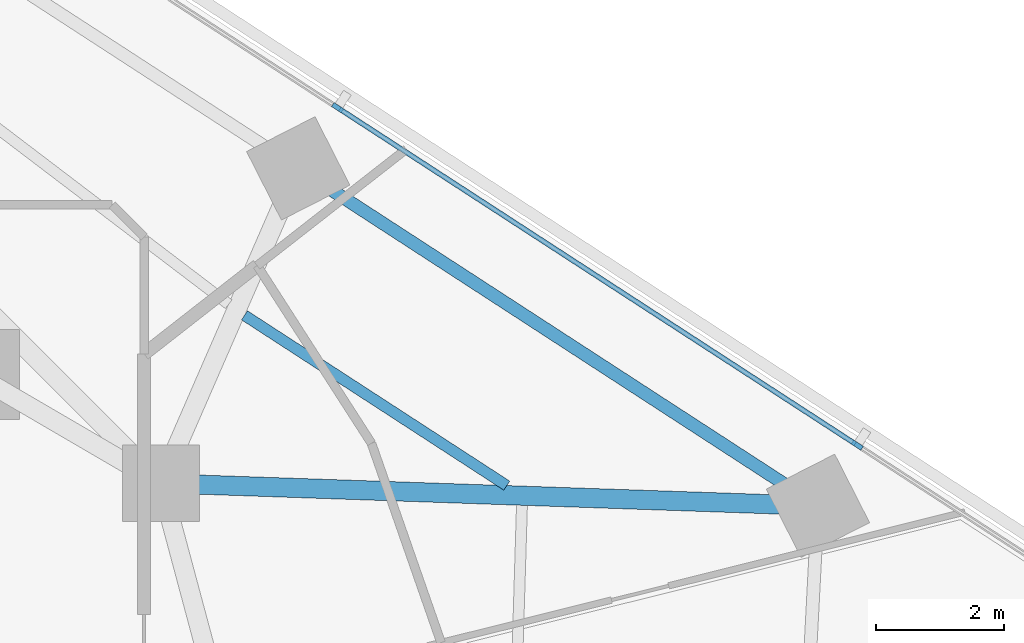
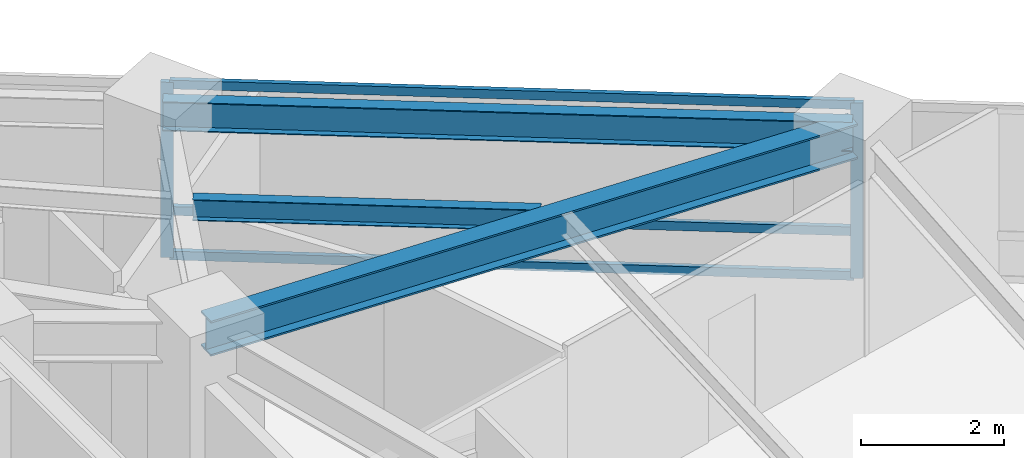
# One storey, part 6 of 14: 5 members, 3 beams, 1 element without a shape of its own.
"""IFC4 building model written with IfcOpenShell, lengths in metres."""

import ifcopenshell
import ifcopenshell.guid

model = None  # the IFC model being written
_history = None  # IfcOwnerHistory: only IFC2X3 demands one
_inside = {}  # id of a spatial element -> (the spatial element, [elements in it])
_under = {}  # id of a project, library or spatial element -> (it, [spatial elements below it])
_declared = {}  # id of a project -> (the project, [libraries it declares])
_typed = {}  # id of a type object -> (the type object, [elements of that type])
_made_of = {}  # id of a material, layer set ... -> (it, [elements and type objects made of it])


def new_model(schema):
    """Start an empty IFC model of exactly this schema.

    Asked for "IFC4X3", IfcOpenShell would pick the latest addendum, in which some entities
    have other attributes; the version numbers below select the first issue.
    IFC2X3 requires an IfcOwnerHistory on every rooted entity: one is made here for all.
    """
    global model, _history
    if schema == "IFC4X3":
        model = ifcopenshell.file(schema_version=(4, 3, 0, 0))
    else:
        model = ifcopenshell.file(schema=schema)
    _inside.clear()
    _under.clear()
    _declared.clear()
    _typed.clear()
    _made_of.clear()
    _history = None
    if model.schema == "IFC2X3":
        org = make("IfcOrganization", Name="unknown")
        user = make(
            "IfcPersonAndOrganization",
            ThePerson=make("IfcPerson", FamilyName="unknown"),
            TheOrganization=org,
        )
        app = make(
            "IfcApplication",
            ApplicationDeveloper=org,
            Version="unknown",
            ApplicationFullName="unknown",
            ApplicationIdentifier="unknown",
        )
        _history = make(
            "IfcOwnerHistory",
            OwningUser=user,
            OwningApplication=app,
            ChangeAction="ADDED",
            CreationDate=0,
        )
    return model


def make(cls, **values):
    """One entity of the class cls with the attributes given. An attribute that is None is left unset."""
    return model.create_entity(
        cls, **{name: value for name, value in values.items() if value is not None}
    )


def rooted(cls, **values):
    """An entity with a GlobalId (a new one), such as an element, a storey or a relation."""
    return make(cls, GlobalId=ifcopenshell.guid.new(), OwnerHistory=_history, **values)


def si_unit(unit_type, name, prefix=None):
    """IfcSIUnit, for example si_unit("LENGTHUNIT", "METRE", prefix="MILLI")."""
    return make("IfcSIUnit", UnitType=unit_type, Prefix=prefix, Name=name)


def assignment(units):
    """IfcUnitAssignment: the units of a project."""
    return None if units is None else make("IfcUnitAssignment", Units=units)


def point(xyz):
    """IfcCartesianPoint."""
    return None if xyz is None else make("IfcCartesianPoint", Coordinates=xyz)


def direction(xyz):
    """IfcDirection."""
    return None if xyz is None else make("IfcDirection", DirectionRatios=xyz)


def frame(location, z_axis=None, x_axis=None):
    """IfcAxis2Placement3D, a coordinate frame: its origin and axes. An axis left out is left unset."""
    return make(
        "IfcAxis2Placement3D",
        Location=point(location),
        Axis=direction(z_axis),
        RefDirection=direction(x_axis),
    )


def frame_2d(location, x_axis=None):
    """IfcAxis2Placement2D, a coordinate frame in the plane: its origin and x axis."""
    return make(
        "IfcAxis2Placement2D", Location=point(location), RefDirection=direction(x_axis)
    )


def origin():
    """The frame at (0, 0, 0) with its axes left unset."""
    return frame((0.0, 0.0, 0.0))


def origin_2d():
    """The frame at (0, 0) in the plane with its x axis left unset."""
    return frame_2d((0.0, 0.0))


def place(relative_to, where):
    """IfcLocalPlacement: puts the frame where relative to a parent placement (None: the world)."""
    return make(
        "IfcLocalPlacement", PlacementRelTo=relative_to, RelativePlacement=where
    )


def context(
    kind, dimensions, precision=None, world=None, true_north=None, identifier=None
):
    """IfcGeometricRepresentationContext, for example the 3D "Model" context."""
    return make(
        "IfcGeometricRepresentationContext",
        ContextIdentifier=identifier,
        ContextType=kind,
        CoordinateSpaceDimension=dimensions,
        Precision=precision,
        WorldCoordinateSystem=world,
        TrueNorth=true_north,
    )


def subcontext(parent, identifier, kind, view, scale=None):
    """IfcGeometricRepresentationSubContext, for example "Body" below "Model"."""
    return make(
        "IfcGeometricRepresentationSubContext",
        ContextIdentifier=identifier,
        ContextType=kind,
        ParentContext=parent,
        TargetScale=scale,
        TargetView=view,
    )


def project(units=None, contexts=None):
    """IfcProject with its units and contexts."""
    return rooted(
        "IfcProject",
        Name="project",
        RepresentationContexts=contexts,
        UnitsInContext=assignment(units),
    )


def spatial(cls, under=None, at=None, **own):
    """A site, building, storey or space (cls), placed at a placement, below another one or the project."""
    s = rooted(cls, ObjectPlacement=at, **own)
    if under is not None:
        _under.setdefault(under.id(), (under, []))[1].append(s)
    return s


def profile(cls, at=None, kind="AREA", **sizes):
    """A parametric profile (cls). Its sizes go by their IFC names, for example OverallWidth=200.0."""
    return make(cls, ProfileType=kind, Position=at, **sizes)


def rectangle(**sizes):
    """IfcRectangleProfileDef."""
    return profile("IfcRectangleProfileDef", **sizes)


def i_section(**sizes):
    """IfcIShapeProfileDef."""
    return profile("IfcIShapeProfileDef", **sizes)


def extrude(swept, where, along, depth):
    """IfcExtrudedAreaSolid: the profile swept, set in the frame where, extruded along a direction by depth."""
    return make(
        "IfcExtrudedAreaSolid",
        SweptArea=swept,
        Position=where,
        ExtrudedDirection=direction(along),
        Depth=depth,
    )


def shape(context_of_items, identifier, shape_type, items):
    """IfcShapeRepresentation: the items that make up one representation, for example the "Body"."""
    return make(
        "IfcShapeRepresentation",
        ContextOfItems=context_of_items,
        RepresentationIdentifier=identifier,
        RepresentationType=shape_type,
        Items=items,
    )


def material(Name=None, Category=None):
    """IfcMaterial."""
    return make("IfcMaterial", Name=Name, Category=Category)


def layer(
    of_material, thickness, ventilated=None, Name=None, Category=None, Priority=None
):
    """IfcMaterialLayer: one layer of a wall or slab, of a material (None: an air gap)."""
    return make(
        "IfcMaterialLayer",
        Material=of_material,
        LayerThickness=thickness,
        IsVentilated=ventilated,
        Name=Name,
        Category=Category,
        Priority=Priority,
    )


def layer_set(layers, Name=None):
    """IfcMaterialLayerSet."""
    return make("IfcMaterialLayerSet", MaterialLayers=layers, LayerSetName=Name)


def material_profile(
    of_material, cross_section, Name=None, Category=None, Priority=None
):
    """IfcMaterialProfile: a cross section and its material."""
    return make(
        "IfcMaterialProfile",
        Name=Name,
        Material=of_material,
        Profile=cross_section,
        Priority=Priority,
        Category=Category,
    )


def profile_set(profiles, Name=None, composite=None):
    """IfcMaterialProfileSet."""
    return make(
        "IfcMaterialProfileSet",
        Name=Name,
        MaterialProfiles=profiles,
        CompositeProfile=composite,
    )


def made_of(thing, what):
    """Note that an element or type object is made of a material, layer set ...; save() writes the relation."""
    if what is not None:
        _made_of.setdefault(what.id(), (what, []))[1].append(thing)
    return thing


def type_object(cls, material=None, **own):
    """A type object (cls), such as IfcWallType, which elements share."""
    return made_of(rooted(cls, **own), material)


def element(
    cls,
    number,
    at=None,
    inside=None,
    cuts=None,
    type_object=None,
    material=None,
    context=None,
    identifier="Body",
    shape_type=None,
    held_by="IfcProductDefinitionShape",
    body=None,
    shapes=None,
    **own,
):
    """One element of the class cls, such as IfcWall. Its Tag is "e" and its number.

    at: its placement. inside: the storey or other place that contains it. cuts: it is an
    opening in that element (IfcRelVoidsElement). A single representation is given by context,
    identifier, shape_type and body (its items); several are given by shapes. held_by: the class
    of the entity that holds the representations. save() writes the other relations.
    """
    e = rooted(cls, Tag="e%d" % number, ObjectPlacement=at, **own)
    if body is not None:
        shapes = [shape(context, identifier, shape_type, body)]
    if shapes is not None:
        e.Representation = make(held_by, Representations=shapes)
    if inside is not None:
        _inside.setdefault(inside.id(), (inside, []))[1].append(e)
    if cuts is not None:
        rooted(
            "IfcRelVoidsElement", RelatingBuildingElement=cuts, RelatedOpeningElement=e
        )
    if type_object is not None:
        _typed.setdefault(type_object.id(), (type_object, []))[1].append(e)
    return made_of(e, material)


def aggregate(whole, parts):
    """IfcRelAggregates: a whole, such as a stair, and the parts it consists of."""
    return rooted("IfcRelAggregates", RelatingObject=whole, RelatedObjects=parts)


def save(model, path):
    """Write the relations noted so far, then the file.

    IfcRelAggregates (storeys below a building ...), IfcRelContainedInSpatialStructure (elements
    in a storey), IfcRelDefinesByType, IfcRelAssociatesMaterial and IfcRelDeclares: one each for
    every whole, place, type object, material and project.
    """
    for whole, parts in _under.values():
        aggregate(whole, parts)
    for where, things in _inside.values():
        rooted(
            "IfcRelContainedInSpatialStructure",
            RelatedElements=things,
            RelatingStructure=where,
        )
    for kind, things in _typed.values():
        rooted("IfcRelDefinesByType", RelatedObjects=things, RelatingType=kind)
    for what, things in _made_of.values():
        rooted("IfcRelAssociatesMaterial", RelatedObjects=things, RelatingMaterial=what)
    for by, libraries in _declared.values():
        rooted("IfcRelDeclares", RelatingContext=by, RelatedDefinitions=libraries)
    model.write(path)


model = new_model("IFC4")

# Units and contexts
model_context = context("Model", 3, precision=1e-05, world=origin(), true_north=direction((0.0, 1.0)))
body_context = subcontext(model_context, "Body", "Model", "MODEL_VIEW")
ifc_project = project(units=[si_unit("LENGTHUNIT", "METRE"), si_unit("AREAUNIT", "SQUARE_METRE"), si_unit("VOLUMEUNIT", "CUBIC_METRE"), si_unit("PLANEANGLEUNIT", "RADIAN"), si_unit("MASSUNIT", "GRAM", prefix="KILO")], contexts=[model_context])

# Site, building, storey
site_placement = place(None, origin())
site = spatial("IfcSite", under=ifc_project, at=site_placement, CompositionType="ELEMENT")
building_placement = place(site_placement, origin())
building = spatial("IfcBuilding", under=site, at=building_placement, Name="Terralouvre Media Tower", CompositionType="ELEMENT")
storey_placement = place(building_placement, frame((0.0, 0.0, 123.60009765625)))
storey = spatial("IfcBuildingStorey", under=building, at=storey_placement, Name="L31", CompositionType="ELEMENT", Elevation=123.60009765625)

# Beam
ifc_material_1 = material(Name="Structural steel S355J2", Category="steel")
ifc_material_profile_1 = material_profile(ifc_material_1, i_section(OverallWidth=0.169921875, OverallDepth=0.360107421875, WebThickness=0.008056640625, FlangeThickness=0.0126953125, at=origin_2d()), Name="IPE 360")
ifc_profile_set_1 = profile_set([ifc_material_profile_1], Name="Structural steel S355J2")
beam_type_1 = type_object("IfcBeamType", Name="Composite Floor Joist J-IPE360 (IPE 360)", PredefinedType="JOIST", material=ifc_profile_set_1)
beam_1_placement = place(storey_placement, frame((16.31494140625, 6.263916015625, 3.31982421875), z_axis=(-0.838663920822, 0.544649270551, 0.0), x_axis=(-0.544649270551, -0.838663920822, 0.0)))
element("IfcBeam", 1, at=beam_1_placement, inside=storey, type_object=beam_type_1, Name="L31 Framing Beam JT-L31-07", PredefinedType="JOIST", context=body_context, shape_type="SweptSolid", body=[
    extrude(i_section(OverallWidth=0.169921875, OverallDepth=0.360107421875, WebThickness=0.008056640625, FlangeThickness=0.0126953125, at=origin_2d()), origin(), (0.0, 0.0, 1.0), 4.885009765625),
])

# Curtain wall, members
ifc_material_2 = material(Name="Low-iron laminated double glazing with solar-control coating", Category="glass")
ifc_layer = layer(ifc_material_2, 0.1650390625, Name="Production Studio Tower Curtain Wall CW-03")
ifc_layer_set = layer_set([ifc_layer], Name="Low-iron laminated double glazing with solar-control coating")
curtain_wall_type = type_object("IfcCurtainWallType", Name="Production Studio Tower Curtain Wall CW-03", PredefinedType="NOTDEFINED", material=ifc_layer_set)
curtain_wall_placement = place(storey_placement, origin())
curtain_wall = element("IfcCurtainWall", 2, at=curtain_wall_placement, inside=storey, type_object=curtain_wall_type, Name="L31 Facade Curtain Wall F1", PredefinedType="NOTDEFINED")
ifc_material_3 = material(Name="Anodised extruded aluminium 6063-T6", Category="aluminium")
ifc_material_profile_2 = material_profile(ifc_material_3, rectangle(XDim=0.074951171875, YDim=0.14990234375, at=origin_2d()), Name="ALU 75x150")
ifc_profile_set_2 = profile_set([ifc_material_profile_2], Name="Anodised extruded aluminium 6063-T6")
member_type_1 = type_object("IfcMemberType", Name="Curtain-Wall Horizontal Transom TR-150", PredefinedType="USERDEFINED", material=ifc_profile_set_2)
member_1_placement = place(storey_placement, frame((21.760009765625, 6.916259765625, 0.037353515625), z_axis=(-0.838661320759, 0.544653274169, 0.0), x_axis=(-0.544653274169, -0.838661320759, 0.0)))
member_1 = element("IfcMember", 3, at=member_1_placement, type_object=member_type_1, Name="CW-03 transom 2.1", ObjectType="TRANSOM", PredefinedType="USERDEFINED", context=body_context, shape_type="SweptSolid", body=[
    extrude(rectangle(XDim=0.074951171875, YDim=0.14990234375, at=origin_2d()), origin(), (0.0, 0.0, 1.0), 9.60498046875),
])
member_2_placement = place(storey_placement, frame((21.760009765625, 6.916259765625, 0.7998046875), z_axis=(-0.838661320759, 0.544653274169, 0.0), x_axis=(-0.544653274169, -0.838661320759, 0.0)))
member_2 = element("IfcMember", 4, at=member_2_placement, type_object=member_type_1, Name="CW-03 transom 2.2", ObjectType="TRANSOM", PredefinedType="USERDEFINED", context=body_context, shape_type="SweptSolid", body=[
    extrude(rectangle(XDim=0.074951171875, YDim=0.14990234375, at=origin_2d()), origin(), (0.0, 0.0, 1.0), 9.60498046875),
])
member_3_placement = place(storey_placement, frame((21.760009765625, 6.916259765625, 2.96240234375), z_axis=(-0.838661320759, 0.544653274169, 0.0), x_axis=(-0.544653274169, -0.838661320759, 0.0)))
member_3 = element("IfcMember", 5, at=member_3_placement, type_object=member_type_1, Name="CW-03 transom 2.3", ObjectType="TRANSOM", PredefinedType="USERDEFINED", context=body_context, shape_type="SweptSolid", body=[
    extrude(rectangle(XDim=0.074951171875, YDim=0.14990234375, at=origin_2d()), origin(), (0.0, 0.0, 1.0), 9.60498046875),
])
ifc_material_4 = material(Name="Anodised extruded aluminium 6063-T6", Category="aluminium")
ifc_material_profile_3 = material_profile(ifc_material_4, rectangle(XDim=0.074951171875, YDim=0.179931640625, at=origin_2d()), Name="ALU 75x180")
ifc_profile_set_3 = profile_set([ifc_material_profile_3], Name="Anodised extruded aluminium 6063-T6")
member_type_2 = type_object("IfcMemberType", Name="Curtain-Wall Vertical Mullion ML-180", PredefinedType="MULLION", material=ifc_profile_set_3)
member_4_placement = place(storey_placement, frame((21.79150390625, 6.89599609375, 0.0), z_axis=(0.0, 0.0, 1.0), x_axis=(-0.544639002681, -0.838670588944, 0.0)))
member_4 = element("IfcMember", 6, at=member_4_placement, type_object=member_type_2, Name="CW-03 mullion 2", PredefinedType="MULLION", context=body_context, shape_type="SweptSolid", body=[
    extrude(rectangle(XDim=0.074951171875, YDim=0.179931640625, at=origin_2d()), origin(), (0.0, 0.0, 1.0), 3.0),
])
member_5_placement = place(storey_placement, frame((13.673095703125, 12.16796875, 0.0), z_axis=(0.0, 0.0, 1.0), x_axis=(-0.544639002681, -0.838670588944, 0.0)))
member_5 = element("IfcMember", 7, at=member_5_placement, type_object=member_type_2, Name="CW-03 mullion 3", PredefinedType="MULLION", context=body_context, shape_type="SweptSolid", body=[
    extrude(rectangle(XDim=0.074951171875, YDim=0.179931640625, at=origin_2d()), origin(), (0.0, 0.0, 1.0), 3.0),
])
aggregate(curtain_wall, [member_4, member_5, member_1, member_2, member_3])

# Beams
ifc_material_5 = material(Name="Structural steel S355J2", Category="steel")
ifc_material_profile_4 = material_profile(ifc_material_5, i_section(OverallWidth=0.199951171875, OverallDepth=0.5, WebThickness=0.01025390625, FlangeThickness=0.01611328125, at=origin_2d()), Name="IPE 500")
ifc_profile_set_4 = profile_set([ifc_material_profile_4], Name="Structural steel S355J2")
beam_type_2 = type_object("IfcBeamType", Name="Perimeter Spandrel Beam SPB-500 (IPE 500)", PredefinedType="SPANDREL", material=ifc_profile_set_4)
beam_2_placement = place(storey_placement, frame((21.176025390625, 5.9482421875, 3.25), z_axis=(-0.838667695914, 0.54464345753, 0.0), x_axis=(-0.54464345753, -0.838667695914, 0.0)))
element("IfcBeam", 8, at=beam_2_placement, inside=storey, type_object=beam_type_2, Name="L31 Framing Beam BM-L31-PR07", PredefinedType="SPANDREL", context=body_context, shape_type="SweptSolid", body=[
    extrude(i_section(OverallWidth=0.199951171875, OverallDepth=0.5, WebThickness=0.01025390625, FlangeThickness=0.01611328125, at=origin_2d()), origin(), (0.0, 0.0, 1.0), 9.68017578125),
])
ifc_material_6 = material(Name="Structural steel S460M", Category="steel")
ifc_material_profile_5 = material_profile(ifc_material_6, i_section(OverallWidth=0.300048828125, OverallDepth=0.60009765625, WebThickness=0.015380859375, FlangeThickness=0.030029296875, at=origin_2d()), Name="HEB 600")
ifc_profile_set_5 = profile_set([ifc_material_profile_5], Name="Structural steel S460M")
beam_type_3 = type_object("IfcBeamType", Name="Primary Floor Girder B-HEB600 (HEB 600)", PredefinedType="BEAM", material=ifc_profile_set_5)
beam_3_placement = place(storey_placement, frame((10.911865234375, 6.300048828125, 3.199951171875), z_axis=(0.999413120714, -0.034255133128, 0.0), x_axis=(0.034255133128, 0.999413120714, 0.0)))
element("IfcBeam", 9, at=beam_3_placement, inside=storey, type_object=beam_type_3, Name="L31 Framing Beam BM-L31-RD07", PredefinedType="BEAM", context=body_context, shape_type="SweptSolid", body=[
    extrude(i_section(OverallWidth=0.300048828125, OverallDepth=0.60009765625, WebThickness=0.015380859375, FlangeThickness=0.030029296875, at=origin_2d()), origin(), (0.0, 0.0, 1.0), 10.270263671875),
])

save(model, "model.ifc")
